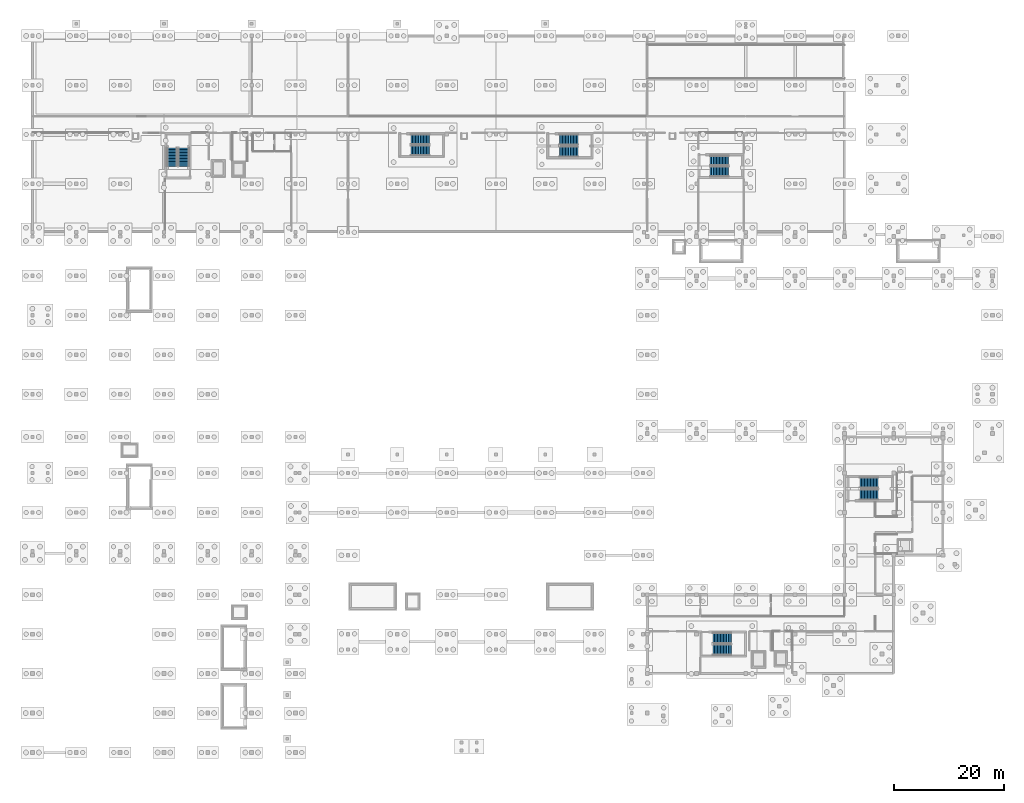
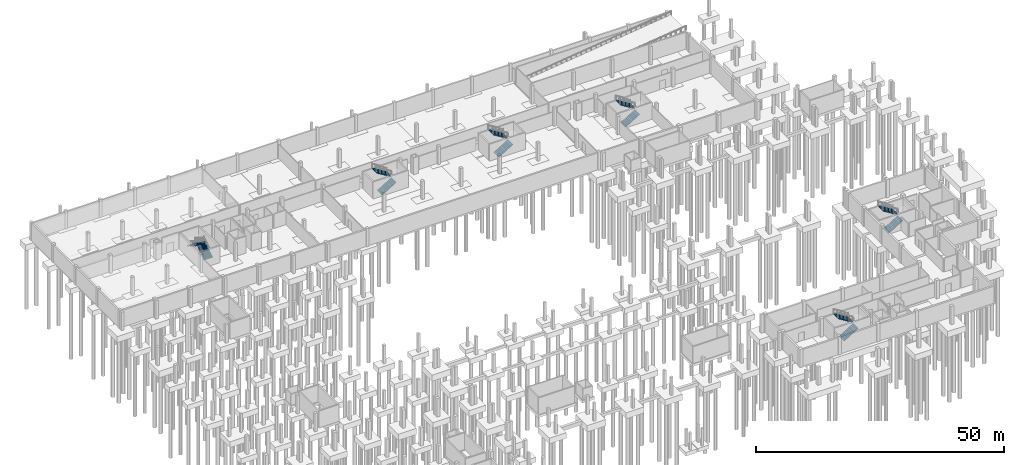
# One storey, part 27 of 36: 12 stair flights, 6 elements without a shape of their own.
"""IFC4 building model written with IfcOpenShell, lengths in metres."""

from ifc_helpers import new_model, si_unit, direction, frame, origin, place, context, subcontext, project, spatial, polyline, outline, extrude, material, type_object, element, aggregate, save


model = new_model("IFC4")

# Units and contexts
model_context = context("Model", 3, precision=1e-05, world=origin(), true_north=direction((0.0, 1.0)))
body_context = subcontext(model_context, "Body", "Model", "MODEL_VIEW")
ifc_project = project(units=[si_unit("LENGTHUNIT", "METRE"), si_unit("AREAUNIT", "SQUARE_METRE"), si_unit("VOLUMEUNIT", "CUBIC_METRE"), si_unit("PLANEANGLEUNIT", "RADIAN"), si_unit("MASSUNIT", "GRAM", prefix="KILO")], contexts=[model_context])

# Site, building, storey
site_placement = place(None, origin())
site = spatial("IfcSite", under=ifc_project, at=site_placement, CompositionType="ELEMENT")
building_placement = place(site_placement, origin())
building = spatial("IfcBuilding", under=site, at=building_placement, Name="Chiffa Square Polytechnic", CompositionType="ELEMENT")
storey_placement = place(building_placement, frame((0.0, 0.0, -4.5)))
storey = spatial("IfcBuildingStorey", under=building, at=storey_placement, Name="B1", CompositionType="ELEMENT", Elevation=-4.5)

# Stair, stair flights
ifc_material = material(Name="Concrete C35/45", Category="concrete")
stair_type_1 = type_object("IfcStairType", Name="STAIR-STR-1850", PredefinedType="HALF_TURN_STAIR", material=ifc_material)
stair_1_placement = place(storey_placement, origin())
stair_1 = element("IfcStair", 1, at=stair_1_placement, inside=storey, type_object=stair_type_1, Name="B1 Enclosed exit stair ST-B1W", PredefinedType="HALF_TURN_STAIR")
stair_flight_type_1 = type_object("IfcStairFlightType", Name="STFLT-1850", PredefinedType="STRAIGHT", material=ifc_material)
stair_flight_1_placement = place(storey_placement, frame((69.10009765625, 109.875, 0.0), z_axis=(0.0, 0.0, 1.0), x_axis=(1.0, 0.0, 0.0)))
stair_flight_1 = element("IfcStairFlight", 2, at=stair_flight_1_placement, type_object=stair_flight_type_1, Name="ST-B1W flight 1", NumberOfRisers=13, NumberOfTreads=12, PredefinedType="STRAIGHT", RiserHeight=0.173076923, TreadLength=0.28, context=body_context, shape_type="SweptSolid", body=[
    extrude(outline(polyline([(0.0, 0.0), (0.0, 0.173095703125), (0.280029296875, 0.173095703125), (0.280029296875, 0.34619140625), (0.56005859375, 0.34619140625), (0.56005859375, 0.519287109375), (0.840087890625, 0.519287109375), (0.840087890625, 0.6923828125), (1.1201171875, 0.6923828125), (1.1201171875, 0.865478515625), (1.39990234375, 0.865478515625), (1.39990234375, 1.03857421875), (1.679931640625, 1.03857421875), (1.679931640625, 1.21142578125), (1.9599609375, 1.21142578125), (1.9599609375, 1.384521484375), (2.239990234375, 1.384521484375), (2.239990234375, 1.5576171875), (2.52001953125, 1.5576171875), (2.52001953125, 1.730712890625), (2.800048828125, 1.730712890625), (2.800048828125, 1.90380859375), (3.080078125, 1.90380859375), (3.080078125, 2.076904296875), (3.360107421875, 2.076904296875), (3.360107421875, 2.25), (3.360107421875, 1.888916015625), (0.30419921875, 0.0), (0.0, 0.0)])), frame((0.0, 0.925048828125, 0.0), z_axis=(0.0, -1.0, 0.0), x_axis=(1.0, 0.0, 0.0)), (0.0, 0.0, 1.0), 1.85009765625),
])
stair_flight_2_placement = place(storey_placement, frame((72.4599609375, 111.875, 2.25), z_axis=(0.0, 0.0, 1.0), x_axis=(-1.0, 0.0, 0.0)))
stair_flight_2 = element("IfcStairFlight", 3, at=stair_flight_2_placement, type_object=stair_flight_type_1, Name="ST-B1W flight 2", NumberOfRisers=13, NumberOfTreads=12, PredefinedType="STRAIGHT", RiserHeight=0.173076923, TreadLength=0.28, context=body_context, shape_type="SweptSolid", body=[
    extrude(outline(polyline([(0.0, 0.0), (0.0, 0.173095703125), (0.280029296875, 0.173095703125), (0.280029296875, 0.34619140625), (0.56005859375, 0.34619140625), (0.56005859375, 0.519287109375), (0.840087890625, 0.519287109375), (0.840087890625, 0.6923828125), (1.1201171875, 0.6923828125), (1.1201171875, 0.865478515625), (1.39990234375, 0.865478515625), (1.39990234375, 1.03857421875), (1.679931640625, 1.03857421875), (1.679931640625, 1.21142578125), (1.9599609375, 1.21142578125), (1.9599609375, 1.384521484375), (2.239990234375, 1.384521484375), (2.239990234375, 1.5576171875), (2.52001953125, 1.5576171875), (2.52001953125, 1.730712890625), (2.800048828125, 1.730712890625), (2.800048828125, 1.90380859375), (3.080078125, 1.90380859375), (3.080078125, 2.076904296875), (3.360107421875, 2.076904296875), (3.360107421875, 2.25), (3.360107421875, 1.888916015625), (0.30419921875, 0.0), (0.0, 0.0)])), frame((0.0, 0.925048828125, 0.0), z_axis=(0.0, -1.0, 0.0), x_axis=(1.0, 0.0, 0.0)), (0.0, 0.0, 1.0), 1.85009765625),
])
aggregate(stair_1, [stair_flight_1, stair_flight_2])

stair_type_2 = type_object("IfcStairType", Name="STAIR-SPR-1850", PredefinedType="HALF_TURN_STAIR", material=ifc_material)
stair_2_placement = place(storey_placement, origin())
stair_2 = element("IfcStair", 4, at=stair_2_placement, inside=storey, type_object=stair_type_2, Name="B1 Enclosed exit stair ST-B1E", PredefinedType="HALF_TURN_STAIR")
stair_flight_3_placement = place(storey_placement, frame((123.699951171875, 106.02490234375, 0.0), z_axis=(0.0, 0.0, 1.0), x_axis=(1.0, 0.0, 0.0)))
stair_flight_3 = element("IfcStairFlight", 5, at=stair_flight_3_placement, type_object=stair_flight_type_1, Name="ST-B1E flight 1", NumberOfRisers=13, NumberOfTreads=12, PredefinedType="STRAIGHT", RiserHeight=0.173076923, TreadLength=0.28, context=body_context, shape_type="SweptSolid", body=[
    extrude(outline(polyline([(0.0, 0.0), (0.0, 0.173095703125), (0.280029296875, 0.173095703125), (0.280029296875, 0.34619140625), (0.56005859375, 0.34619140625), (0.56005859375, 0.519287109375), (0.840087890625, 0.519287109375), (0.840087890625, 0.6923828125), (1.1201171875, 0.6923828125), (1.1201171875, 0.865478515625), (1.39990234375, 0.865478515625), (1.39990234375, 1.03857421875), (1.679931640625, 1.03857421875), (1.679931640625, 1.21142578125), (1.9599609375, 1.21142578125), (1.9599609375, 1.384521484375), (2.239990234375, 1.384521484375), (2.239990234375, 1.5576171875), (2.52001953125, 1.5576171875), (2.52001953125, 1.730712890625), (2.800048828125, 1.730712890625), (2.800048828125, 1.90380859375), (3.080078125, 1.90380859375), (3.080078125, 2.076904296875), (3.360107421875, 2.076904296875), (3.360107421875, 2.25), (3.360107421875, 1.888916015625), (0.30419921875, 0.0), (0.0, 0.0)])), frame((0.0, 0.925048828125, 0.0), z_axis=(0.0, -1.0, 0.0), x_axis=(1.0, 0.0, 0.0)), (0.0, 0.0, 1.0), 1.85009765625),
])
stair_flight_4_placement = place(storey_placement, frame((127.06005859375, 108.02490234375, 2.25), z_axis=(0.0, 0.0, 1.0), x_axis=(-1.0, 0.0, 0.0)))
stair_flight_4 = element("IfcStairFlight", 6, at=stair_flight_4_placement, type_object=stair_flight_type_1, Name="ST-B1E flight 2", NumberOfRisers=13, NumberOfTreads=12, PredefinedType="STRAIGHT", RiserHeight=0.173076923, TreadLength=0.28, context=body_context, shape_type="SweptSolid", body=[
    extrude(outline(polyline([(0.0, 0.0), (0.0, 0.173095703125), (0.280029296875, 0.173095703125), (0.280029296875, 0.34619140625), (0.56005859375, 0.34619140625), (0.56005859375, 0.519287109375), (0.840087890625, 0.519287109375), (0.840087890625, 0.6923828125), (1.1201171875, 0.6923828125), (1.1201171875, 0.865478515625), (1.39990234375, 0.865478515625), (1.39990234375, 1.03857421875), (1.679931640625, 1.03857421875), (1.679931640625, 1.21142578125), (1.9599609375, 1.21142578125), (1.9599609375, 1.384521484375), (2.239990234375, 1.384521484375), (2.239990234375, 1.5576171875), (2.52001953125, 1.5576171875), (2.52001953125, 1.730712890625), (2.800048828125, 1.730712890625), (2.800048828125, 1.90380859375), (3.080078125, 1.90380859375), (3.080078125, 2.076904296875), (3.360107421875, 2.076904296875), (3.360107421875, 2.25), (3.360107421875, 1.888916015625), (0.30419921875, 0.0), (0.0, 0.0)])), frame((0.0, 0.925048828125, 0.0), z_axis=(0.0, -1.0, 0.0), x_axis=(1.0, 0.0, 0.0)), (0.0, 0.0, 1.0), 1.85009765625),
])
aggregate(stair_2, [stair_flight_3, stair_flight_4])

stair_type_3 = type_object("IfcStairType", Name="STAIR-DOG-1950", PredefinedType="HALF_TURN_STAIR", material=ifc_material)
stair_3_placement = place(storey_placement, origin())
stair_3 = element("IfcStair", 7, at=stair_3_placement, inside=storey, type_object=stair_type_3, Name="B1 Enclosed exit stair ST-V1A", PredefinedType="HALF_TURN_STAIR")
stair_flight_type_2 = type_object("IfcStairFlightType", Name="STFLT-1950", PredefinedType="STRAIGHT", material=ifc_material)
stair_flight_5_placement = place(storey_placement, frame((124.199951171875, 18.72509765625, 0.0), z_axis=(0.0, 0.0, 1.0), x_axis=(1.0, 0.0, 0.0)))
stair_flight_5 = element("IfcStairFlight", 8, at=stair_flight_5_placement, type_object=stair_flight_type_2, Name="ST-V1A flight 1", NumberOfRisers=13, NumberOfTreads=12, PredefinedType="STRAIGHT", RiserHeight=0.173076923, TreadLength=0.28, context=body_context, shape_type="SweptSolid", body=[
    extrude(outline(polyline([(0.0, 0.0), (0.0, 0.173095703125), (0.280029296875, 0.173095703125), (0.280029296875, 0.34619140625), (0.56005859375, 0.34619140625), (0.56005859375, 0.519287109375), (0.840087890625, 0.519287109375), (0.840087890625, 0.6923828125), (1.1201171875, 0.6923828125), (1.1201171875, 0.865478515625), (1.39990234375, 0.865478515625), (1.39990234375, 1.03857421875), (1.679931640625, 1.03857421875), (1.679931640625, 1.21142578125), (1.9599609375, 1.21142578125), (1.9599609375, 1.384521484375), (2.239990234375, 1.384521484375), (2.239990234375, 1.5576171875), (2.52001953125, 1.5576171875), (2.52001953125, 1.730712890625), (2.800048828125, 1.730712890625), (2.800048828125, 1.90380859375), (3.080078125, 1.90380859375), (3.080078125, 2.076904296875), (3.360107421875, 2.076904296875), (3.360107421875, 2.25), (3.360107421875, 1.888916015625), (0.30419921875, 0.0), (0.0, 0.0)])), frame((0.0, 0.97509765625, 0.0), z_axis=(0.0, -1.0, 0.0), x_axis=(1.0, 0.0, 0.0)), (0.0, 0.0, 1.0), 1.949951171875),
])
stair_flight_6_placement = place(storey_placement, frame((127.56005859375, 20.875, 2.25), z_axis=(0.0, 0.0, 1.0), x_axis=(-1.0, 0.0, 0.0)))
stair_flight_6 = element("IfcStairFlight", 9, at=stair_flight_6_placement, type_object=stair_flight_type_2, Name="ST-V1A flight 2", NumberOfRisers=13, NumberOfTreads=12, PredefinedType="STRAIGHT", RiserHeight=0.173076923, TreadLength=0.28, context=body_context, shape_type="SweptSolid", body=[
    extrude(outline(polyline([(0.0, 0.0), (0.0, 0.173095703125), (0.280029296875, 0.173095703125), (0.280029296875, 0.34619140625), (0.56005859375, 0.34619140625), (0.56005859375, 0.519287109375), (0.840087890625, 0.519287109375), (0.840087890625, 0.6923828125), (1.1201171875, 0.6923828125), (1.1201171875, 0.865478515625), (1.39990234375, 0.865478515625), (1.39990234375, 1.03857421875), (1.679931640625, 1.03857421875), (1.679931640625, 1.21142578125), (1.9599609375, 1.21142578125), (1.9599609375, 1.384521484375), (2.239990234375, 1.384521484375), (2.239990234375, 1.5576171875), (2.52001953125, 1.5576171875), (2.52001953125, 1.730712890625), (2.800048828125, 1.730712890625), (2.800048828125, 1.90380859375), (3.080078125, 1.90380859375), (3.080078125, 2.076904296875), (3.360107421875, 2.076904296875), (3.360107421875, 2.25), (3.360107421875, 1.888916015625), (0.30419921875, 0.0), (0.0, 0.0)])), frame((0.0, 0.97509765625, 0.0), z_axis=(0.0, -1.0, 0.0), x_axis=(1.0, 0.0, 0.0)), (0.0, 0.0, 1.0), 1.949951171875),
])
aggregate(stair_3, [stair_flight_5, stair_flight_6])

stair_4_placement = place(storey_placement, origin())
stair_4 = element("IfcStair", 10, at=stair_4_placement, inside=storey, type_object=stair_type_3, Name="B1 Enclosed exit stair ST-V1B", PredefinedType="HALF_TURN_STAIR")
stair_flight_7_placement = place(storey_placement, frame((151.0, 47.074951171875, 0.0), z_axis=(0.0, 0.0, 1.0), x_axis=(1.0, 0.0, 0.0)))
stair_flight_7 = element("IfcStairFlight", 11, at=stair_flight_7_placement, type_object=stair_flight_type_2, Name="ST-V1B flight 1", NumberOfRisers=13, NumberOfTreads=12, PredefinedType="STRAIGHT", RiserHeight=0.173076923, TreadLength=0.28, context=body_context, shape_type="SweptSolid", body=[
    extrude(outline(polyline([(0.0, 0.0), (0.0, 0.173095703125), (0.280029296875, 0.173095703125), (0.280029296875, 0.34619140625), (0.56005859375, 0.34619140625), (0.56005859375, 0.519287109375), (0.840087890625, 0.519287109375), (0.840087890625, 0.6923828125), (1.1201171875, 0.6923828125), (1.1201171875, 0.865478515625), (1.39990234375, 0.865478515625), (1.39990234375, 1.03857421875), (1.679931640625, 1.03857421875), (1.679931640625, 1.21142578125), (1.9599609375, 1.21142578125), (1.9599609375, 1.384521484375), (2.239990234375, 1.384521484375), (2.239990234375, 1.5576171875), (2.52001953125, 1.5576171875), (2.52001953125, 1.730712890625), (2.800048828125, 1.730712890625), (2.800048828125, 1.90380859375), (3.080078125, 1.90380859375), (3.080078125, 2.076904296875), (3.360107421875, 2.076904296875), (3.360107421875, 2.25), (3.360107421875, 1.888916015625), (0.30419921875, 0.0), (0.0, 0.0)])), frame((0.0, 0.97509765625, 0.0), z_axis=(0.0, -1.0, 0.0), x_axis=(1.0, 0.0, 0.0)), (0.0, 0.0, 1.0), 1.949951171875),
])
stair_flight_8_placement = place(storey_placement, frame((154.360107421875, 49.22509765625, 2.25), z_axis=(0.0, 0.0, 1.0), x_axis=(-1.0, 0.0, 0.0)))
stair_flight_8 = element("IfcStairFlight", 12, at=stair_flight_8_placement, type_object=stair_flight_type_2, Name="ST-V1B flight 2", NumberOfRisers=13, NumberOfTreads=12, PredefinedType="STRAIGHT", RiserHeight=0.173076923, TreadLength=0.28, context=body_context, shape_type="SweptSolid", body=[
    extrude(outline(polyline([(0.0, 0.0), (0.0, 0.173095703125), (0.280029296875, 0.173095703125), (0.280029296875, 0.34619140625), (0.56005859375, 0.34619140625), (0.56005859375, 0.519287109375), (0.840087890625, 0.519287109375), (0.840087890625, 0.6923828125), (1.1201171875, 0.6923828125), (1.1201171875, 0.865478515625), (1.39990234375, 0.865478515625), (1.39990234375, 1.03857421875), (1.679931640625, 1.03857421875), (1.679931640625, 1.21142578125), (1.9599609375, 1.21142578125), (1.9599609375, 1.384521484375), (2.239990234375, 1.384521484375), (2.239990234375, 1.5576171875), (2.52001953125, 1.5576171875), (2.52001953125, 1.730712890625), (2.800048828125, 1.730712890625), (2.800048828125, 1.90380859375), (3.080078125, 1.90380859375), (3.080078125, 2.076904296875), (3.360107421875, 2.076904296875), (3.360107421875, 2.25), (3.360107421875, 1.888916015625), (0.30419921875, 0.0), (0.0, 0.0)])), frame((0.0, 0.97509765625, 0.0), z_axis=(0.0, -1.0, 0.0), x_axis=(1.0, 0.0, 0.0)), (0.0, 0.0, 1.0), 1.949951171875),
])
aggregate(stair_4, [stair_flight_7, stair_flight_8])

stair_5_placement = place(storey_placement, origin())
stair_5 = element("IfcStair", 13, at=stair_5_placement, inside=storey, type_object=stair_type_3, Name="B1 Enclosed exit stair ST-V5A", PredefinedType="HALF_TURN_STAIR")
stair_flight_9_placement = place(storey_placement, frame((27.625, 107.0, 0.0), z_axis=(0.0, 0.0, 1.0), x_axis=(0.0, 1.0, 0.0)))
stair_flight_9 = element("IfcStairFlight", 14, at=stair_flight_9_placement, type_object=stair_flight_type_2, Name="ST-V5A flight 1", NumberOfRisers=13, NumberOfTreads=12, PredefinedType="STRAIGHT", RiserHeight=0.173076923, TreadLength=0.28, context=body_context, shape_type="SweptSolid", body=[
    extrude(outline(polyline([(0.0, 0.0), (0.0, 0.173095703125), (0.280029296875, 0.173095703125), (0.280029296875, 0.34619140625), (0.56005859375, 0.34619140625), (0.56005859375, 0.519287109375), (0.840087890625, 0.519287109375), (0.840087890625, 0.6923828125), (1.1201171875, 0.6923828125), (1.1201171875, 0.865478515625), (1.39990234375, 0.865478515625), (1.39990234375, 1.03857421875), (1.679931640625, 1.03857421875), (1.679931640625, 1.21142578125), (1.9599609375, 1.21142578125), (1.9599609375, 1.384521484375), (2.239990234375, 1.384521484375), (2.239990234375, 1.5576171875), (2.52001953125, 1.5576171875), (2.52001953125, 1.730712890625), (2.800048828125, 1.730712890625), (2.800048828125, 1.90380859375), (3.080078125, 1.90380859375), (3.080078125, 2.076904296875), (3.360107421875, 2.076904296875), (3.360107421875, 2.25), (3.360107421875, 1.888916015625), (0.30419921875, 0.0), (0.0, 0.0)])), frame((0.0, 0.97509765625, 0.0), z_axis=(0.0, -1.0, 0.0), x_axis=(1.0, 0.0, 0.0)), (0.0, 0.0, 1.0), 1.949951171875),
])
stair_flight_10_placement = place(storey_placement, frame((25.47509765625, 110.360107421875, 2.25), z_axis=(0.0, 0.0, 1.0), x_axis=(0.0, -1.0, 0.0)))
stair_flight_10 = element("IfcStairFlight", 15, at=stair_flight_10_placement, type_object=stair_flight_type_2, Name="ST-V5A flight 2", NumberOfRisers=13, NumberOfTreads=12, PredefinedType="STRAIGHT", RiserHeight=0.173076923, TreadLength=0.28, context=body_context, shape_type="SweptSolid", body=[
    extrude(outline(polyline([(0.0, 0.0), (0.0, 0.173095703125), (0.280029296875, 0.173095703125), (0.280029296875, 0.34619140625), (0.56005859375, 0.34619140625), (0.56005859375, 0.519287109375), (0.840087890625, 0.519287109375), (0.840087890625, 0.6923828125), (1.1201171875, 0.6923828125), (1.1201171875, 0.865478515625), (1.39990234375, 0.865478515625), (1.39990234375, 1.03857421875), (1.679931640625, 1.03857421875), (1.679931640625, 1.21142578125), (1.9599609375, 1.21142578125), (1.9599609375, 1.384521484375), (2.239990234375, 1.384521484375), (2.239990234375, 1.5576171875), (2.52001953125, 1.5576171875), (2.52001953125, 1.730712890625), (2.800048828125, 1.730712890625), (2.800048828125, 1.90380859375), (3.080078125, 1.90380859375), (3.080078125, 2.076904296875), (3.360107421875, 2.076904296875), (3.360107421875, 2.25), (3.360107421875, 1.888916015625), (0.30419921875, 0.0), (0.0, 0.0)])), frame((0.0, 0.97509765625, 0.0), z_axis=(0.0, -1.0, 0.0), x_axis=(1.0, 0.0, 0.0)), (0.0, 0.0, 1.0), 1.949951171875),
])
aggregate(stair_5, [stair_flight_9, stair_flight_10])

stair_6_placement = place(storey_placement, origin())
stair_6 = element("IfcStair", 16, at=stair_6_placement, inside=storey, type_object=stair_type_3, Name="B1 Enclosed exit stair ST-V5B", PredefinedType="HALF_TURN_STAIR")
stair_flight_11_placement = place(storey_placement, frame((96.199951171875, 109.675048828125, 0.0), z_axis=(0.0, 0.0, 1.0), x_axis=(1.0, 0.0, 0.0)))
stair_flight_11 = element("IfcStairFlight", 17, at=stair_flight_11_placement, type_object=stair_flight_type_2, Name="ST-V5B flight 1", NumberOfRisers=13, NumberOfTreads=12, PredefinedType="STRAIGHT", RiserHeight=0.173076923, TreadLength=0.28, context=body_context, shape_type="SweptSolid", body=[
    extrude(outline(polyline([(0.0, 0.0), (0.0, 0.173095703125), (0.280029296875, 0.173095703125), (0.280029296875, 0.34619140625), (0.56005859375, 0.34619140625), (0.56005859375, 0.519287109375), (0.840087890625, 0.519287109375), (0.840087890625, 0.6923828125), (1.1201171875, 0.6923828125), (1.1201171875, 0.865478515625), (1.39990234375, 0.865478515625), (1.39990234375, 1.03857421875), (1.679931640625, 1.03857421875), (1.679931640625, 1.21142578125), (1.9599609375, 1.21142578125), (1.9599609375, 1.384521484375), (2.239990234375, 1.384521484375), (2.239990234375, 1.5576171875), (2.52001953125, 1.5576171875), (2.52001953125, 1.730712890625), (2.800048828125, 1.730712890625), (2.800048828125, 1.90380859375), (3.080078125, 1.90380859375), (3.080078125, 2.076904296875), (3.360107421875, 2.076904296875), (3.360107421875, 2.25), (3.360107421875, 1.888916015625), (0.30419921875, 0.0), (0.0, 0.0)])), frame((0.0, 0.97509765625, 0.0), z_axis=(0.0, -1.0, 0.0), x_axis=(1.0, 0.0, 0.0)), (0.0, 0.0, 1.0), 1.949951171875),
])
stair_flight_12_placement = place(storey_placement, frame((99.56005859375, 111.824951171875, 2.25), z_axis=(0.0, 0.0, 1.0), x_axis=(-1.0, 0.0, 0.0)))
stair_flight_12 = element("IfcStairFlight", 18, at=stair_flight_12_placement, type_object=stair_flight_type_2, Name="ST-V5B flight 2", NumberOfRisers=13, NumberOfTreads=12, PredefinedType="STRAIGHT", RiserHeight=0.173076923, TreadLength=0.28, context=body_context, shape_type="SweptSolid", body=[
    extrude(outline(polyline([(0.0, 0.0), (0.0, 0.173095703125), (0.280029296875, 0.173095703125), (0.280029296875, 0.34619140625), (0.56005859375, 0.34619140625), (0.56005859375, 0.519287109375), (0.840087890625, 0.519287109375), (0.840087890625, 0.6923828125), (1.1201171875, 0.6923828125), (1.1201171875, 0.865478515625), (1.39990234375, 0.865478515625), (1.39990234375, 1.03857421875), (1.679931640625, 1.03857421875), (1.679931640625, 1.21142578125), (1.9599609375, 1.21142578125), (1.9599609375, 1.384521484375), (2.239990234375, 1.384521484375), (2.239990234375, 1.5576171875), (2.52001953125, 1.5576171875), (2.52001953125, 1.730712890625), (2.800048828125, 1.730712890625), (2.800048828125, 1.90380859375), (3.080078125, 1.90380859375), (3.080078125, 2.076904296875), (3.360107421875, 2.076904296875), (3.360107421875, 2.25), (3.360107421875, 1.888916015625), (0.30419921875, 0.0), (0.0, 0.0)])), frame((0.0, 0.97509765625, 0.0), z_axis=(0.0, -1.0, 0.0), x_axis=(1.0, 0.0, 0.0)), (0.0, 0.0, 1.0), 1.949951171875),
])
aggregate(stair_6, [stair_flight_11, stair_flight_12])

save(model, "model.ifc")
